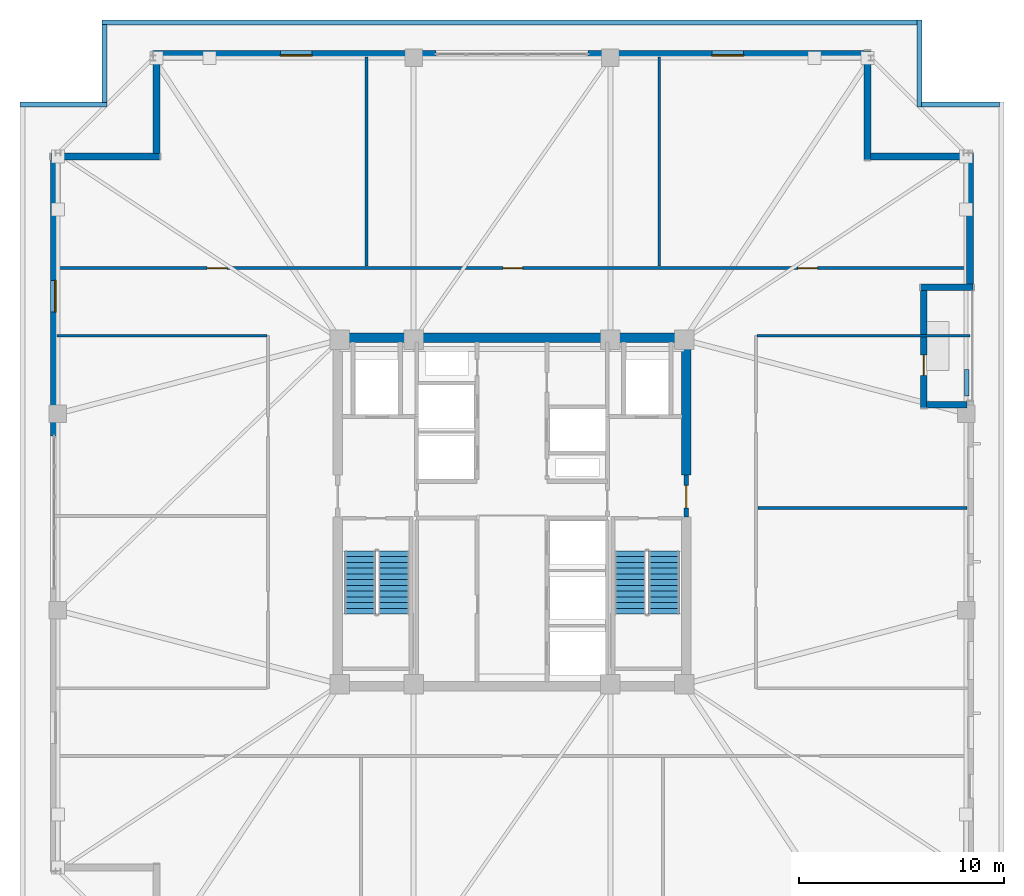
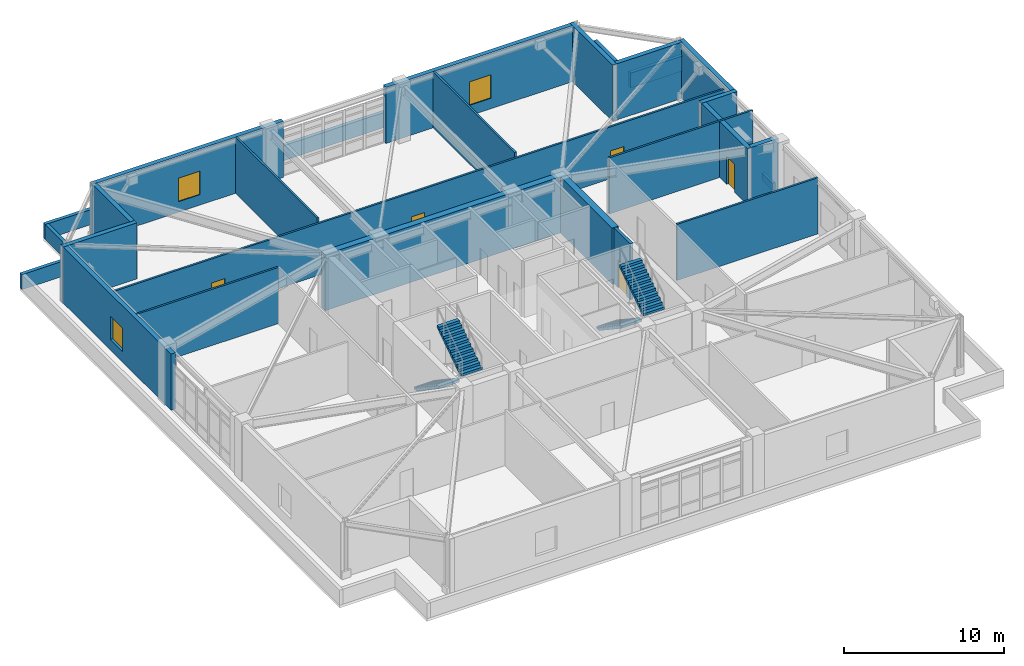
# One storey, part 13 of 18: 26 walls, 5 doors, 4 stair flights, 3 windows, 8 openings, 2 elements without a shape of their own.
"""IFC4 building model written with IfcOpenShell, lengths in metres."""

from ifc_helpers import new_model, si_unit, direction, frame, frame_2d, origin, place, context, subcontext, project, spatial, polyline, rectangle, outline, extrude, material, layer, layer_set, type_object, element, fill, aggregate, save


model = new_model("IFC4")

# Units and contexts
model_context = context("Model", 3, precision=1e-05, world=origin(), true_north=direction((0.0, 1.0)))
body_context = subcontext(model_context, "Body", "Model", "MODEL_VIEW")
ifc_project = project(units=[si_unit("LENGTHUNIT", "METRE"), si_unit("AREAUNIT", "SQUARE_METRE"), si_unit("VOLUMEUNIT", "CUBIC_METRE"), si_unit("PLANEANGLEUNIT", "RADIAN"), si_unit("MASSUNIT", "GRAM", prefix="KILO")], contexts=[model_context])

# Site, building, storey
site_placement = place(None, origin())
site = spatial("IfcSite", under=ifc_project, at=site_placement, CompositionType="ELEMENT")
building_placement = place(site_placement, origin())
building = spatial("IfcBuilding", under=site, at=building_placement, Name="Cairnveth Concourse Tower", CompositionType="ELEMENT")
storey_placement = place(building_placement, frame((0.0, 0.0, 198.0)))
storey = spatial("IfcBuildingStorey", under=building, at=storey_placement, Name="L54", CompositionType="ELEMENT", Elevation=198.0)

# Walls
ifc_material_1 = material(Name="Concrete N65 (65 MPa)", Category="concrete")
ifc_layer_1 = layer(ifc_material_1, 0.449951171875)
ifc_layer_set_1 = layer_set([ifc_layer_1], Name="Concrete N65 (65 MPa)")
wall_type_1 = type_object("IfcWallType", Name="CORE SHEAR WALL 450", PredefinedType="SHEAR", material=ifc_layer_set_1)
wall_1_placement = place(storey_placement, frame((43.27490234375, 47.5, 0.0), z_axis=(0.0, 0.0, 1.0), x_axis=(1.0, 0.0, 0.0)))
element("IfcWall", 1, at=wall_1_placement, inside=storey, type_object=wall_type_1, Name="Core North Shear Wall L54", PredefinedType="SHEAR", context=body_context, shape_type="SweptSolid", body=[
    extrude(rectangle(XDim=17.4501953125, YDim=0.449951171875, at=frame_2d((8.72509765625, 0.0))), origin(), (0.0, 0.0, 1.0), 4.2900390625),
])
wall_2_placement = place(storey_placement, frame((60.5, 40.800048828125, 0.0), z_axis=(0.0, 0.0, 1.0), x_axis=(0.0, 1.0, 0.0)))
element("IfcWall", 2, at=wall_2_placement, inside=storey, type_object=wall_type_1, Name="Core East Shear Wall N L54", PredefinedType="SHEAR", context=body_context, shape_type="SweptSolid", body=[
    extrude(rectangle(XDim=6.48486328125, YDim=0.449951171875, at=frame_2d((3.242431640625, 0.0))), origin(), (0.0, 0.0, 1.0), 4.2900390625),
])

# Wall, opening, door
ifc_material_2 = material(Name="Concrete N50 (50 MPa)", Category="concrete")
ifc_layer_2 = layer(ifc_material_2, 0.199951171875)
ifc_layer_set_2 = layer_set([ifc_layer_2], Name="Concrete N50 (50 MPa)")
wall_type_2 = type_object("IfcWallType", Name="FIRE SHAFT WALL 200", PredefinedType="SOLIDWALL", material=ifc_layer_set_2)
wall_3_placement = place(storey_placement, frame((60.5, 38.75, 0.0), z_axis=(0.0, 0.0, 1.0), x_axis=(0.0, 1.0, 0.0)))
wall_3 = element("IfcWall", 3, at=wall_3_placement, inside=storey, type_object=wall_type_2, Name="Interior Wall IW-L54-020", PredefinedType="SOLIDWALL", context=body_context, shape_type="SweptSolid", body=[
    extrude(rectangle(XDim=2.050048828125, YDim=0.199951171875, at=frame_2d((1.02490234375, 0.0))), origin(), (0.0, 0.0, 1.0), 4.2900390625),
])
opening_1_placement = place(wall_3_placement, frame((0.449951171875, 0.0, 0.0)))
opening_1 = element("IfcOpeningElement", 4, at=opening_1_placement, cuts=wall_3, Name="Opening ID06", PredefinedType="OPENING", context=body_context, shape_type="SweptSolid", body=[
    extrude(rectangle(XDim=1.10009765625, YDim=2.14990234375, at=frame_2d((0.550048828125, 1.074951171875))), frame((0.0, 0.10986328125, 0.0), z_axis=(0.0, -1.0, 0.0), x_axis=(1.0, 0.0, 0.0)), (0.0, 0.0, 1.0), 0.219970703125),
])
ifc_material_3 = material(Name="Steel Grade 350", Category="steel")
door_type_1 = type_object("IfcDoorType", Name="FIRE CORRIDOR DOOR 1100X2150", OperationType="NOTDEFINED", PredefinedType="DOOR", material=ifc_material_3)
door_1_placement = place(opening_1_placement, origin())
door_1 = element("IfcDoor", 5, at=door_1_placement, inside=storey, type_object=door_type_1, Name="East Wing to FF Lobby Door L54", OperationType="SINGLE_SWING_RIGHT", OverallHeight=2.14990234375, OverallWidth=1.10009765625, PredefinedType="DOOR", context=body_context, shape_type="SweptSolid", body=[
    extrude(rectangle(XDim=1.10009765625, YDim=2.14990234375, at=frame_2d((0.550048828125, 1.074951171875))), frame((0.0, 0.02490234375, 0.0), z_axis=(0.0, -1.0, 0.0), x_axis=(1.0, 0.0, 0.0)), (0.0, 0.0, 1.0), 0.050048828125),
])
fill(opening_1, door_1)

# Wall, openings, doors
ifc_material_4 = material(Name="Gypsum Plasterboard Partition", Category="gypsum")
ifc_layer_3 = layer(ifc_material_4, 0.139892578125)
ifc_layer_set_3 = layer_set([ifc_layer_3], Name="Gypsum Plasterboard Partition")
wall_type_3 = type_object("IfcWallType", Name="GYPSUM STUD PARTITION 140", PredefinedType="PARTITIONING", material=ifc_layer_set_3)
wall_4_placement = place(storey_placement, frame((29.804931640625, 50.89990234375, 0.0), z_axis=(0.0, 0.0, 1.0), x_axis=(1.0, 0.0, 0.0)))
wall_4 = element("IfcWall", 6, at=wall_4_placement, inside=storey, type_object=wall_type_3, Name="Interior Wall IW-L54-036", PredefinedType="PARTITIONING", context=body_context, shape_type="SweptSolid", body=[
    extrude(rectangle(XDim=44.39013671875, YDim=0.139892578125, at=frame_2d((22.195068359375, 0.0))), origin(), (0.0, 0.0, 1.0), 3.9580078125),
])
opening_2_placement = place(wall_4_placement, frame((7.324951171875, 0.0, 0.0)))
opening_2 = element("IfcOpeningElement", 7, at=opening_2_placement, cuts=wall_4, Name="Opening ID11", PredefinedType="OPENING", context=body_context, shape_type="SweptSolid", body=[
    extrude(rectangle(XDim=0.9599609375, YDim=2.1201171875, at=frame_2d((0.47998046875, 1.06005859375))), frame((0.0, 0.079833984375, 0.0), z_axis=(0.0, -1.0, 0.0), x_axis=(1.0, 0.0, 0.0)), (0.0, 0.0, 1.0), 0.159912109375),
])
opening_3_placement = place(wall_4_placement, frame((21.7548828125, 0.0, 0.0)))
opening_3 = element("IfcOpeningElement", 8, at=opening_3_placement, cuts=wall_4, Name="Opening ID11", PredefinedType="OPENING", context=body_context, shape_type="SweptSolid", body=[
    extrude(rectangle(XDim=0.9599609375, YDim=2.1201171875, at=frame_2d((0.47998046875, 1.06005859375))), frame((0.0, 0.079833984375, 0.0), z_axis=(0.0, -1.0, 0.0), x_axis=(1.0, 0.0, 0.0)), (0.0, 0.0, 1.0), 0.159912109375),
])
opening_4_placement = place(wall_4_placement, frame((36.14501953125, 0.0, 0.0)))
opening_4 = element("IfcOpeningElement", 9, at=opening_4_placement, cuts=wall_4, Name="Opening ID11", PredefinedType="OPENING", context=body_context, shape_type="SweptSolid", body=[
    extrude(rectangle(XDim=0.9599609375, YDim=2.1201171875, at=frame_2d((0.47998046875, 1.06005859375))), frame((0.0, 0.079833984375, 0.0), z_axis=(0.0, -1.0, 0.0), x_axis=(1.0, 0.0, 0.0)), (0.0, 0.0, 1.0), 0.159912109375),
])
ifc_material_5 = material(Name="Solid Core Hardwood Timber Leaf", Category="wood")
door_type_2 = type_object("IfcDoorType", Name="INTERIOR SINGLE DOOR 960X2150", OperationType="NOTDEFINED", PredefinedType="DOOR", material=ifc_material_5)
door_2_placement = place(opening_2_placement, origin())
door_2 = element("IfcDoor", 10, at=door_2_placement, inside=storey, type_object=door_type_2, Name="Office Door L54-N1", OperationType="SINGLE_SWING_RIGHT", OverallHeight=2.1201171875, OverallWidth=0.9599609375, PredefinedType="DOOR", context=body_context, shape_type="SweptSolid", body=[
    extrude(rectangle(XDim=0.9599609375, YDim=2.1201171875, at=frame_2d((0.47998046875, 1.06005859375))), frame((0.0, 0.02490234375, 0.0), z_axis=(0.0, -1.0, 0.0), x_axis=(1.0, 0.0, 0.0)), (0.0, 0.0, 1.0), 0.050048828125),
])
fill(opening_2, door_2)
door_3_placement = place(opening_3_placement, origin())
door_3 = element("IfcDoor", 11, at=door_3_placement, inside=storey, type_object=door_type_2, Name="Office Door L54-N2", OperationType="SINGLE_SWING_LEFT", OverallHeight=2.1201171875, OverallWidth=0.9599609375, PredefinedType="DOOR", context=body_context, shape_type="SweptSolid", body=[
    extrude(rectangle(XDim=0.9599609375, YDim=2.1201171875, at=frame_2d((0.47998046875, 1.06005859375))), frame((0.0, 0.02490234375, 0.0), z_axis=(0.0, -1.0, 0.0), x_axis=(1.0, 0.0, 0.0)), (0.0, 0.0, 1.0), 0.050048828125),
])
fill(opening_3, door_3)
door_4_placement = place(opening_4_placement, origin())
door_4 = element("IfcDoor", 12, at=door_4_placement, inside=storey, type_object=door_type_2, Name="Office Door L54-N3", OperationType="SINGLE_SWING_RIGHT", OverallHeight=2.1201171875, OverallWidth=0.9599609375, PredefinedType="DOOR", context=body_context, shape_type="SweptSolid", body=[
    extrude(rectangle(XDim=0.9599609375, YDim=2.1201171875, at=frame_2d((0.47998046875, 1.06005859375))), frame((0.0, 0.02490234375, 0.0), z_axis=(0.0, -1.0, 0.0), x_axis=(1.0, 0.0, 0.0)), (0.0, 0.0, 1.0), 0.050048828125),
])
fill(opening_4, door_4)

# Walls
wall_5_placement = place(storey_placement, frame((29.804931640625, 47.60009765625, 0.0), z_axis=(0.0, 0.0, 1.0), x_axis=(1.0, 0.0, 0.0)))
element("IfcWall", 13, at=wall_5_placement, inside=storey, type_object=wall_type_3, Name="Interior Wall IW-L54-040", PredefinedType="PARTITIONING", context=body_context, shape_type="SweptSolid", body=[
    extrude(rectangle(XDim=10.239990234375, YDim=0.139892578125, at=frame_2d((5.1201171875, 0.0))), origin(), (0.0, 0.0, 1.0), 4.2900390625),
])
wall_6_placement = place(storey_placement, frame((63.955078125, 47.60009765625, 0.0), z_axis=(0.0, 0.0, 1.0), x_axis=(1.0, 0.0, 0.0)))
element("IfcWall", 14, at=wall_6_placement, inside=storey, type_object=wall_type_3, Name="Interior Wall IW-L54-042", PredefinedType="PARTITIONING", context=body_context, shape_type="SweptSolid", body=[
    extrude(rectangle(XDim=10.375, YDim=0.139892578125, at=frame_2d((5.1875, 0.0))), origin(), (0.0, 0.0, 1.0), 4.2900390625),
])
for number, where, z_axis, x_axis, name in (
    (15, (44.89990234375, 51.0, 0.0), (0.0, 0.0, 1.0), (0.0, 1.0, 0.0), "Interior Wall IW-L54-045"),
    (16, (59.179931640625, 51.0, 0.0), (0.0, 0.0, 1.0), (0.0, 1.0, 0.0), "Interior Wall IW-L54-046"),
    (17, (64.0, 39.195068359375, 0.0), (0.0, 0.0, 1.0), (1.0, 0.0, 0.0), "Interior Wall IW-L54-048"),
):
    element("IfcWall", number, at=place(storey_placement, frame(where, z_axis=z_axis, x_axis=x_axis)), inside=storey, type_object=wall_type_3, Name=name, PredefinedType="PARTITIONING", context=body_context, shape_type="SweptSolid", body=[
        extrude(rectangle(XDim=10.195068359375, YDim=0.139892578125, at=frame_2d((5.09765625, 0.0))), origin(), (0.0, 0.0, 1.0), 4.2900390625),
    ])
ifc_material_6 = material(Name="Hawthorn Red-Ochre Fired Clay Brick Masonry", Category="masonry")
ifc_layer_4 = layer(ifc_material_6, 0.25)
ifc_layer_set_4 = layer_set([ifc_layer_4], Name="Hawthorn Red-Ochre Fired Clay Brick Masonry")
wall_type_4 = type_object("IfcWallType", Name="ROOF MASONRY PARAPET WALL 250", PredefinedType="PARAPET", material=ifc_layer_set_4)
wall_7_placement = place(storey_placement, frame((28.0, 58.875, 0.0), z_axis=(0.0, 0.0, 1.0), x_axis=(1.0, 0.0, 0.0)))
element("IfcWall", 18, at=wall_7_placement, inside=storey, type_object=wall_type_4, Name="Exterior Wall EP-L54-SB03", PredefinedType="PARAPET", context=body_context, shape_type="SweptSolid", body=[
    extrude(rectangle(XDim=4.25, YDim=0.25, at=frame_2d((2.125, 0.0))), origin(), (0.0, 0.0, 1.0), 1.14990234375),
])
wall_8_placement = place(storey_placement, frame((32.125, 58.97802734375, 0.0), z_axis=(0.0, 0.0, 1.0), x_axis=(0.0, 1.0, 0.0)))
element("IfcWall", 19, at=wall_8_placement, inside=storey, type_object=wall_type_4, Name="Exterior Wall EP-L54-SB04", PredefinedType="PARAPET", context=body_context, shape_type="SweptSolid", body=[
    extrude(rectangle(XDim=3.7939453125, YDim=0.25, at=frame_2d((1.89697265625, 0.0))), origin(), (0.0, 0.0, 1.0), 1.14990234375),
])
wall_9_placement = place(storey_placement, frame((32.0, 62.875, 0.0), z_axis=(0.0, 0.0, 1.0), x_axis=(1.0, 0.0, 0.0)))
element("IfcWall", 20, at=wall_9_placement, inside=storey, type_object=wall_type_4, Name="Exterior Wall EP-L54-SB05", PredefinedType="PARAPET", context=body_context, shape_type="SweptSolid", body=[
    extrude(rectangle(XDim=39.77197265625, YDim=0.25, at=frame_2d((19.885986328125, 0.0))), origin(), (0.0, 0.0, 1.0), 1.14990234375),
])
wall_10_placement = place(storey_placement, frame((71.875, 63.0, 0.0), z_axis=(0.0, 0.0, 1.0), x_axis=(0.0, -1.0, 0.0)))
element("IfcWall", 21, at=wall_10_placement, inside=storey, type_object=wall_type_4, Name="Exterior Wall EP-L54-SB06", PredefinedType="PARAPET", context=body_context, shape_type="SweptSolid", body=[
    extrude(rectangle(XDim=4.25, YDim=0.25, at=frame_2d((2.125, 0.0))), origin(), (0.0, 0.0, 1.0), 1.14990234375),
])
wall_11_placement = place(storey_placement, frame((71.97802734375, 58.875, 0.0), z_axis=(0.0, 0.0, 1.0), x_axis=(1.0, 0.0, 0.0)))
element("IfcWall", 22, at=wall_11_placement, inside=storey, type_object=wall_type_4, Name="Exterior Wall EP-L54-SB07", PredefinedType="PARAPET", context=body_context, shape_type="SweptSolid", body=[
    extrude(rectangle(XDim=3.7939453125, YDim=0.25, at=frame_2d((1.89697265625, 0.0))), origin(), (0.0, 0.0, 1.0), 1.14990234375),
])
ifc_material_7 = material(Name="Dressed Melbourne Bluestone Cladding", Category="masonry")
ifc_layer_5 = layer(ifc_material_7, 0.219970703125)
ifc_layer_set_5 = layer_set([ifc_layer_5], Name="Dressed Melbourne Bluestone Cladding")
wall_type_5 = type_object("IfcWallType", Name="TERRACE PLANTER CURB WALL 220", PredefinedType="PARAPET", material=ifc_layer_set_5)
wall_12_placement = place(storey_placement, frame((74.179931640625, 44.64990234375, 0.0), z_axis=(0.0, 0.0, 1.0), x_axis=(0.0, 1.0, 0.0)))
element("IfcWall", 23, at=wall_12_placement, inside=storey, type_object=wall_type_5, Name="Exterior Wall PLNT-L54-TERR", PredefinedType="PARAPET", context=body_context, shape_type="SweptSolid", body=[
    extrude(rectangle(XDim=1.300048828125, YDim=0.219970703125, at=frame_2d((0.64990234375, 0.0))), origin(), (0.0, 0.0, 1.0), 0.550048828125),
])

# Wall, opening, window
ifc_material_8 = material(Name="Melbourne Buff Fired Clay Brick Masonry", Category="masonry")
ifc_layer_6 = layer(ifc_material_8, 0.320068359375)
ifc_layer_set_6 = layer_set([ifc_layer_6], Name="Melbourne Buff Fired Clay Brick Masonry")
wall_type_6 = type_object("IfcWallType", Name="ZONE 3 BRICK PIER SPANDREL WALL 320", PredefinedType="SOLIDWALL", material=ifc_layer_set_6)
wall_13_placement = place(storey_placement, frame((29.659912109375, 42.699951171875, 0.0), z_axis=(0.0, 0.0, 1.0), x_axis=(0.0, 1.0, 0.0)))
wall_13 = element("IfcWall", 24, at=wall_13_placement, inside=storey, type_object=wall_type_6, Name="Exterior Wall EW-L54-S6B", PredefinedType="SOLIDWALL", context=body_context, shape_type="SweptSolid", body=[
    extrude(rectangle(XDim=13.501953125, YDim=0.320068359375, at=frame_2d((6.7509765625, 0.0))), origin(), (0.0, 0.0, 1.0), 4.2900390625),
])
opening_5_placement = place(wall_13_placement, frame((6.051025390625, 0.0, 0.800048828125)))
opening_5 = element("IfcOpeningElement", 25, at=opening_5_placement, cuts=wall_13, Name="Opening W07", PredefinedType="OPENING", context=body_context, shape_type="SweptSolid", body=[
    extrude(rectangle(XDim=1.550048828125, YDim=1.800048828125, at=frame_2d((0.77490234375, 0.89990234375))), frame((0.0, 0.169921875, 0.0), z_axis=(0.0, -1.0, 0.0), x_axis=(1.0, 0.0, 0.0)), (0.0, 0.0, 1.0), 0.340087890625),
])
ifc_material_9 = material(Name="Double Glazed Low-E Clear Glass", Category="glass")
window_type = type_object("IfcWindowType", Name="DEEP-SET APARTMENT WINDOW 1550X1800", PartitioningType="DOUBLE_PANEL_VERTICAL", PredefinedType="WINDOW", material=ifc_material_9)
window_1_placement = place(opening_5_placement, origin())
window_1 = element("IfcWindow", 26, at=window_1_placement, inside=storey, type_object=window_type, Name="WIN-L54-S6-B", OverallHeight=1.800048828125, OverallWidth=1.550048828125, PartitioningType="SINGLE_PANEL", PredefinedType="WINDOW", context=body_context, shape_type="SweptSolid", body=[
    extrude(rectangle(XDim=1.550048828125, YDim=1.800048828125, at=frame_2d((0.77490234375, 0.89990234375))), frame((0.0, -0.0400390625, 0.0), z_axis=(0.0, -1.0, 0.0), x_axis=(1.0, 0.0, 0.0)), (0.0, 0.0, 1.0), 0.06005859375),
])
fill(opening_5, window_1)

# Walls
wall_14_placement = place(storey_placement, frame((29.5, 56.340087890625, 0.0), z_axis=(0.0, 0.0, 1.0), x_axis=(1.0, 0.0, 0.0)))
element("IfcWall", 27, at=wall_14_placement, inside=storey, type_object=wall_type_6, Name="Exterior Wall EW-L54-S07", PredefinedType="SOLIDWALL", context=body_context, shape_type="SweptSolid", body=[
    extrude(rectangle(XDim=5.320068359375, YDim=0.320068359375, at=frame_2d((2.66015625, 0.0))), origin(), (0.0, 0.0, 1.0), 4.2900390625),
])
wall_15_placement = place(storey_placement, frame((34.659912109375, 56.47802734375, 0.0), z_axis=(0.0, 0.0, 1.0), x_axis=(0.0, 1.0, 0.0)))
element("IfcWall", 28, at=wall_15_placement, inside=storey, type_object=wall_type_6, Name="Exterior Wall EW-L54-S08", PredefinedType="SOLIDWALL", context=body_context, shape_type="SweptSolid", body=[
    extrude(rectangle(XDim=4.723876953125, YDim=0.320068359375, at=frame_2d((2.36181640625, 0.0))), origin(), (0.0, 0.0, 1.0), 4.2900390625),
])

# Wall, opening, window
wall_16_placement = place(storey_placement, frame((34.5, 61.340087890625, 0.0), z_axis=(0.0, 0.0, 1.0), x_axis=(1.0, 0.0, 0.0)))
wall_16 = element("IfcWall", 29, at=wall_16_placement, inside=storey, type_object=wall_type_6, Name="Exterior Wall EW-L54-S9A", PredefinedType="SOLIDWALL", context=body_context, shape_type="SweptSolid", body=[
    extrude(rectangle(XDim=13.800048828125, YDim=0.320068359375, at=frame_2d((6.89990234375, 0.0))), origin(), (0.0, 0.0, 1.0), 4.2900390625),
])
opening_6_placement = place(wall_16_placement, frame((6.199951171875, 0.0, 0.800048828125)))
opening_6 = element("IfcOpeningElement", 30, at=opening_6_placement, cuts=wall_16, Name="Opening W07", PredefinedType="OPENING", context=body_context, shape_type="SweptSolid", body=[
    extrude(rectangle(XDim=1.550048828125, YDim=1.800048828125, at=frame_2d((0.77490234375, 0.89990234375))), frame((0.0, 0.169921875, 0.0), z_axis=(0.0, -1.0, 0.0), x_axis=(1.0, 0.0, 0.0)), (0.0, 0.0, 1.0), 0.340087890625),
])
window_2_placement = place(opening_6_placement, origin())
window_2 = element("IfcWindow", 31, at=window_2_placement, inside=storey, type_object=window_type, Name="WIN-L54-S9-A", OverallHeight=1.800048828125, OverallWidth=1.550048828125, PartitioningType="SINGLE_PANEL", PredefinedType="WINDOW", context=body_context, shape_type="SweptSolid", body=[
    extrude(rectangle(XDim=1.550048828125, YDim=1.800048828125, at=frame_2d((0.77490234375, 0.89990234375))), frame((0.0, -0.0400390625, 0.0), z_axis=(0.0, -1.0, 0.0), x_axis=(1.0, 0.0, 0.0)), (0.0, 0.0, 1.0), 0.06005859375),
])
fill(opening_6, window_2)

wall_17_placement = place(storey_placement, frame((55.699951171875, 61.340087890625, 0.0), z_axis=(0.0, 0.0, 1.0), x_axis=(1.0, 0.0, 0.0)))
wall_17 = element("IfcWall", 32, at=wall_17_placement, inside=storey, type_object=wall_type_6, Name="Exterior Wall EW-L54-S9B", PredefinedType="SOLIDWALL", context=body_context, shape_type="SweptSolid", body=[
    extrude(rectangle(XDim=13.501953125, YDim=0.320068359375, at=frame_2d((6.7509765625, 0.0))), origin(), (0.0, 0.0, 1.0), 4.2900390625),
])
opening_7_placement = place(wall_17_placement, frame((6.051025390625, 0.0, 0.800048828125)))
opening_7 = element("IfcOpeningElement", 33, at=opening_7_placement, cuts=wall_17, Name="Opening W07", PredefinedType="OPENING", context=body_context, shape_type="SweptSolid", body=[
    extrude(rectangle(XDim=1.550048828125, YDim=1.800048828125, at=frame_2d((0.77490234375, 0.89990234375))), frame((0.0, 0.169921875, 0.0), z_axis=(0.0, -1.0, 0.0), x_axis=(1.0, 0.0, 0.0)), (0.0, 0.0, 1.0), 0.340087890625),
])
window_3_placement = place(opening_7_placement, origin())
window_3 = element("IfcWindow", 34, at=window_3_placement, inside=storey, type_object=window_type, Name="WIN-L54-S9-B", OverallHeight=1.800048828125, OverallWidth=1.550048828125, PartitioningType="SINGLE_PANEL", PredefinedType="WINDOW", context=body_context, shape_type="SweptSolid", body=[
    extrude(rectangle(XDim=1.550048828125, YDim=1.800048828125, at=frame_2d((0.77490234375, 0.89990234375))), frame((0.0, -0.0400390625, 0.0), z_axis=(0.0, -1.0, 0.0), x_axis=(1.0, 0.0, 0.0)), (0.0, 0.0, 1.0), 0.06005859375),
])
fill(opening_7, window_3)

# Walls
wall_18_placement = place(storey_placement, frame((69.340087890625, 61.5, 0.0), z_axis=(0.0, 0.0, 1.0), x_axis=(0.0, -1.0, 0.0)))
element("IfcWall", 35, at=wall_18_placement, inside=storey, type_object=wall_type_6, Name="Exterior Wall EW-L54-S10", PredefinedType="SOLIDWALL", context=body_context, shape_type="SweptSolid", body=[
    extrude(rectangle(XDim=5.320068359375, YDim=0.320068359375, at=frame_2d((2.66015625, 0.0))), origin(), (0.0, 0.0, 1.0), 4.2900390625),
])
wall_19_placement = place(storey_placement, frame((69.47802734375, 56.340087890625, 0.0), z_axis=(0.0, 0.0, 1.0), x_axis=(1.0, 0.0, 0.0)))
element("IfcWall", 36, at=wall_19_placement, inside=storey, type_object=wall_type_6, Name="Exterior Wall EW-L54-S11", PredefinedType="SOLIDWALL", context=body_context, shape_type="SweptSolid", body=[
    extrude(rectangle(XDim=4.723876953125, YDim=0.320068359375, at=frame_2d((2.36181640625, 0.0))), origin(), (0.0, 0.0, 1.0), 4.2900390625),
])
wall_20_placement = place(storey_placement, frame((74.340087890625, 56.5, 0.0), z_axis=(0.0, 0.0, 1.0), x_axis=(0.0, -1.0, 0.0)))
element("IfcWall", 37, at=wall_20_placement, inside=storey, type_object=wall_type_6, Name="Exterior Wall EW-L54-S12", PredefinedType="SOLIDWALL", context=body_context, shape_type="SweptSolid", body=[
    extrude(rectangle(XDim=6.402099609375, YDim=0.320068359375, at=frame_2d((3.201171875, 0.0))), origin(), (0.0, 0.0, 1.0), 4.2900390625),
])
wall_21_placement = place(storey_placement, frame((74.5, 49.9599609375, 0.0), z_axis=(0.0, 0.0, 1.0), x_axis=(-1.0, 0.0, 0.0)))
element("IfcWall", 38, at=wall_21_placement, inside=storey, type_object=wall_type_6, Name="Exterior Wall EW-L54-S13", PredefinedType="SOLIDWALL", context=body_context, shape_type="SweptSolid", body=[
    extrude(rectangle(XDim=2.570068359375, YDim=0.320068359375, at=frame_2d((1.28515625, 0.0))), origin(), (0.0, 0.0, 1.0), 4.2900390625),
])

# Wall, opening, door
wall_22_placement = place(storey_placement, frame((72.090087890625, 49.822021484375, 0.0), z_axis=(0.0, 0.0, 1.0), x_axis=(0.0, -1.0, 0.0)))
wall_22 = element("IfcWall", 39, at=wall_22_placement, inside=storey, type_object=wall_type_6, Name="Exterior Wall EW-L54-S14", PredefinedType="SOLIDWALL", context=body_context, shape_type="SweptSolid", body=[
    extrude(rectangle(XDim=5.741943359375, YDim=0.320068359375, at=frame_2d((2.87109375, 0.0))), origin(), (0.0, 0.0, 1.0), 4.2900390625),
])
opening_8_placement = place(wall_22_placement, frame((3.156982421875, 0.0, 0.0)))
opening_8 = element("IfcOpeningElement", 40, at=opening_8_placement, cuts=wall_22, Name="Opening ED4", PredefinedType="OPENING", context=body_context, shape_type="SweptSolid", body=[
    extrude(rectangle(XDim=1.0, YDim=2.14990234375, at=frame_2d((0.5, 1.074951171875))), frame((0.0, 0.169921875, 0.0), z_axis=(0.0, -1.0, 0.0), x_axis=(1.0, 0.0, 0.0)), (0.0, 0.0, 1.0), 0.340087890625),
])
ifc_material_10 = material(Name="Architectural Bronze Anodised Aluminium 6063-T6", Category="aluminium")
door_type_3 = type_object("IfcDoorType", Name="TERRACE GLAZED DOOR 1000X2150", OperationType="NOTDEFINED", PredefinedType="DOOR", material=ifc_material_10)
door_5_placement = place(opening_8_placement, origin())
door_5 = element("IfcDoor", 41, at=door_5_placement, inside=storey, type_object=door_type_3, Name="Spiral Terrace Door L54", OperationType="SINGLE_SWING_LEFT", OverallHeight=2.14990234375, OverallWidth=1.0, PredefinedType="DOOR", context=body_context, shape_type="SweptSolid", body=[
    extrude(rectangle(XDim=1.0, YDim=2.14990234375, at=frame_2d((0.5, 1.074951171875))), frame((0.0, 0.02490234375, 0.0), z_axis=(0.0, -1.0, 0.0), x_axis=(1.0, 0.0, 0.0)), (0.0, 0.0, 1.0), 0.050048828125),
])
fill(opening_8, door_5)

# Wall
wall_23_placement = place(storey_placement, frame((72.22802734375, 44.239990234375, 0.0), z_axis=(0.0, 0.0, 1.0), x_axis=(1.0, 0.0, 0.0)))
element("IfcWall", 42, at=wall_23_placement, inside=storey, type_object=wall_type_6, Name="Exterior Wall EW-L54-S15", PredefinedType="SOLIDWALL", context=body_context, shape_type="SweptSolid", body=[
    extrude(rectangle(XDim=1.973876953125, YDim=0.320068359375, at=frame_2d((0.98681640625, 0.0))), origin(), (0.0, 0.0, 1.0), 4.2900390625),
])

# Stair, stair flights
ifc_material_11 = material(Name="Precast concrete N50 (50 MPa)", Category="concrete")
stair_type = type_object("IfcStairType", Name="CORE DOG-LEG FIRE STAIR 1500", PredefinedType="HALF_TURN_STAIR", material=ifc_material_11)
stair_1_placement = place(storey_placement, origin())
stair_1 = element("IfcStair", 43, at=stair_1_placement, inside=storey, type_object=stair_type, Name="L54 Fire-Isolated Stair ST-1", PredefinedType="HALF_TURN_STAIR")
stair_flight_type = type_object("IfcStairFlightType", Name="PRECAST CONCRETE STAIR FLIGHT 1500", PredefinedType="STRAIGHT", material=ifc_material_11)
stair_flight_1_placement = place(storey_placement, frame((44.590087890625, 37.10009765625, 0.0), z_axis=(0.0, 0.0, 1.0), x_axis=(0.0, -1.0, 0.0)))
stair_flight_1 = element("IfcStairFlight", 44, at=stair_flight_1_placement, type_object=stair_flight_type, Name="ST-1 flight 1", NumberOfRisers=12, NumberOfTreads=11, PredefinedType="STRAIGHT", RiserHeight=0.1875, TreadLength=0.28, context=body_context, shape_type="SweptSolid", body=[
    extrude(outline(polyline([(0.0, 0.0), (0.0, 0.1875), (0.280029296875, 0.1875), (0.280029296875, 0.375), (0.56005859375, 0.375), (0.56005859375, 0.5625), (0.840087890625, 0.5625), (0.840087890625, 0.75), (1.1201171875, 0.75), (1.1201171875, 0.9375), (1.39990234375, 0.9375), (1.39990234375, 1.125), (1.679931640625, 1.125), (1.679931640625, 1.3125), (1.9599609375, 1.3125), (1.9599609375, 1.5), (2.239990234375, 1.5), (2.239990234375, 1.6875), (2.52001953125, 1.6875), (2.52001953125, 1.875), (2.800048828125, 1.875), (2.800048828125, 2.0625), (3.080078125, 2.0625), (3.080078125, 2.25), (3.080078125, 1.882080078125), (0.26953125, 0.0), (0.0, 0.0)])), frame((0.0, 0.75, 0.0), z_axis=(0.0, -1.0, 0.0), x_axis=(1.0, 0.0, 0.0)), (0.0, 0.0, 1.0), 1.5),
])
stair_flight_2_placement = place(storey_placement, frame((46.22998046875, 34.02001953125, 2.25), z_axis=(0.0, 0.0, 1.0), x_axis=(0.0, 1.0, 0.0)))
stair_flight_2 = element("IfcStairFlight", 45, at=stair_flight_2_placement, type_object=stair_flight_type, Name="ST-1 flight 2", NumberOfRisers=12, NumberOfTreads=11, PredefinedType="STRAIGHT", RiserHeight=0.1875, TreadLength=0.28, context=body_context, shape_type="SweptSolid", body=[
    extrude(outline(polyline([(0.0, 0.0), (0.0, 0.1875), (0.280029296875, 0.1875), (0.280029296875, 0.375), (0.56005859375, 0.375), (0.56005859375, 0.5625), (0.840087890625, 0.5625), (0.840087890625, 0.75), (1.1201171875, 0.75), (1.1201171875, 0.9375), (1.39990234375, 0.9375), (1.39990234375, 1.125), (1.679931640625, 1.125), (1.679931640625, 1.3125), (1.9599609375, 1.3125), (1.9599609375, 1.5), (2.239990234375, 1.5), (2.239990234375, 1.6875), (2.52001953125, 1.6875), (2.52001953125, 1.875), (2.800048828125, 1.875), (2.800048828125, 2.0625), (3.080078125, 2.0625), (3.080078125, 2.25), (3.080078125, 1.882080078125), (0.26953125, 0.0), (0.0, 0.0)])), frame((0.0, 0.75, 0.0), z_axis=(0.0, -1.0, 0.0), x_axis=(1.0, 0.0, 0.0)), (0.0, 0.0, 1.0), 1.5),
])
aggregate(stair_1, [stair_flight_1, stair_flight_2])

stair_2_placement = place(storey_placement, origin())
stair_2 = element("IfcStair", 46, at=stair_2_placement, inside=storey, type_object=stair_type, Name="L54 Fire-Isolated Stair ST-2", PredefinedType="HALF_TURN_STAIR")
stair_flight_3_placement = place(storey_placement, frame((57.77001953125, 37.10009765625, 0.0), z_axis=(0.0, 0.0, 1.0), x_axis=(0.0, -1.0, 0.0)))
stair_flight_3 = element("IfcStairFlight", 47, at=stair_flight_3_placement, type_object=stair_flight_type, Name="ST-2 flight 1", NumberOfRisers=12, NumberOfTreads=11, PredefinedType="STRAIGHT", RiserHeight=0.1875, TreadLength=0.28, context=body_context, shape_type="SweptSolid", body=[
    extrude(outline(polyline([(0.0, 0.0), (0.0, 0.1875), (0.280029296875, 0.1875), (0.280029296875, 0.375), (0.56005859375, 0.375), (0.56005859375, 0.5625), (0.840087890625, 0.5625), (0.840087890625, 0.75), (1.1201171875, 0.75), (1.1201171875, 0.9375), (1.39990234375, 0.9375), (1.39990234375, 1.125), (1.679931640625, 1.125), (1.679931640625, 1.3125), (1.9599609375, 1.3125), (1.9599609375, 1.5), (2.239990234375, 1.5), (2.239990234375, 1.6875), (2.52001953125, 1.6875), (2.52001953125, 1.875), (2.800048828125, 1.875), (2.800048828125, 2.0625), (3.080078125, 2.0625), (3.080078125, 2.25), (3.080078125, 1.882080078125), (0.26953125, 0.0), (0.0, 0.0)])), frame((0.0, 0.75, 0.0), z_axis=(0.0, -1.0, 0.0), x_axis=(1.0, 0.0, 0.0)), (0.0, 0.0, 1.0), 1.5),
])
stair_flight_4_placement = place(storey_placement, frame((59.409912109375, 34.02001953125, 2.25), z_axis=(0.0, 0.0, 1.0), x_axis=(0.0, 1.0, 0.0)))
stair_flight_4 = element("IfcStairFlight", 48, at=stair_flight_4_placement, type_object=stair_flight_type, Name="ST-2 flight 2", NumberOfRisers=12, NumberOfTreads=11, PredefinedType="STRAIGHT", RiserHeight=0.1875, TreadLength=0.28, context=body_context, shape_type="SweptSolid", body=[
    extrude(outline(polyline([(0.0, 0.0), (0.0, 0.1875), (0.280029296875, 0.1875), (0.280029296875, 0.375), (0.56005859375, 0.375), (0.56005859375, 0.5625), (0.840087890625, 0.5625), (0.840087890625, 0.75), (1.1201171875, 0.75), (1.1201171875, 0.9375), (1.39990234375, 0.9375), (1.39990234375, 1.125), (1.679931640625, 1.125), (1.679931640625, 1.3125), (1.9599609375, 1.3125), (1.9599609375, 1.5), (2.239990234375, 1.5), (2.239990234375, 1.6875), (2.52001953125, 1.6875), (2.52001953125, 1.875), (2.800048828125, 1.875), (2.800048828125, 2.0625), (3.080078125, 2.0625), (3.080078125, 2.25), (3.080078125, 1.882080078125), (0.26953125, 0.0), (0.0, 0.0)])), frame((0.0, 0.75, 0.0), z_axis=(0.0, -1.0, 0.0), x_axis=(1.0, 0.0, 0.0)), (0.0, 0.0, 1.0), 1.5),
])
aggregate(stair_2, [stair_flight_3, stair_flight_4])

save(model, "model.ifc")
